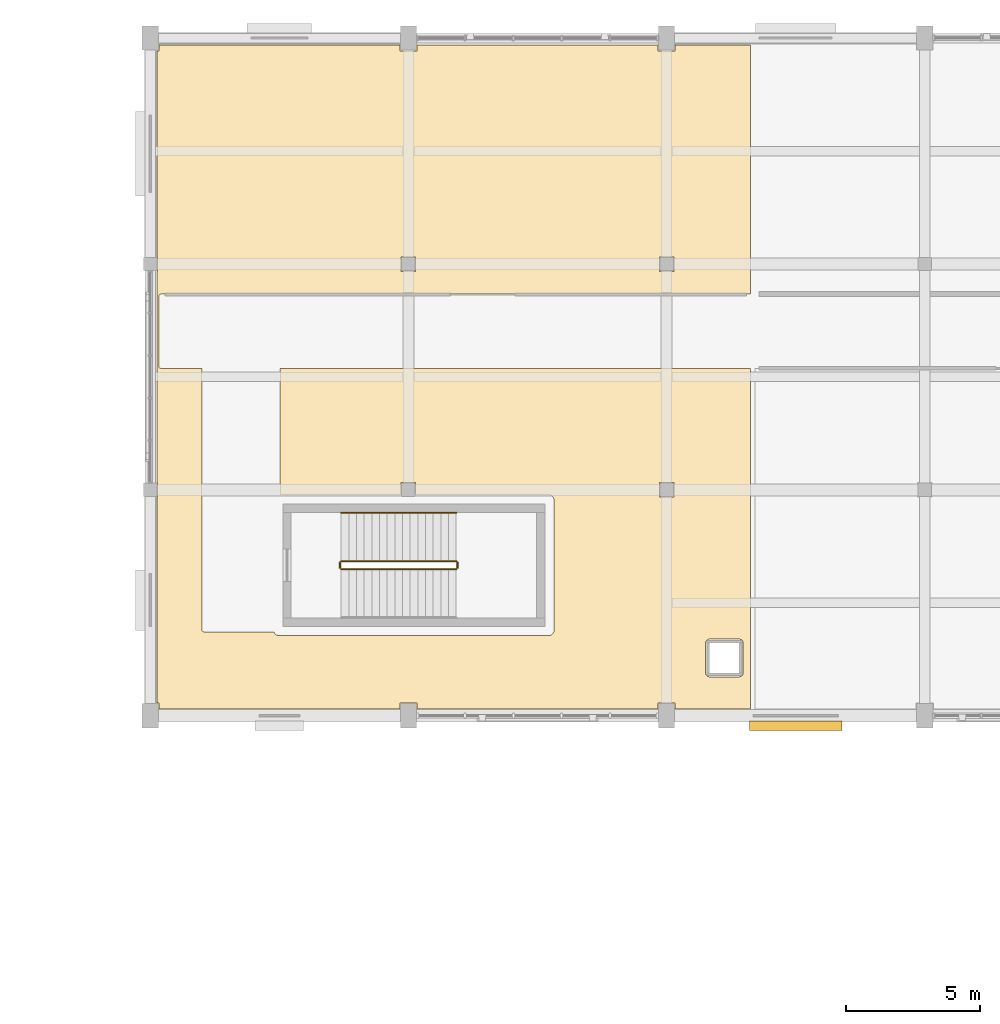
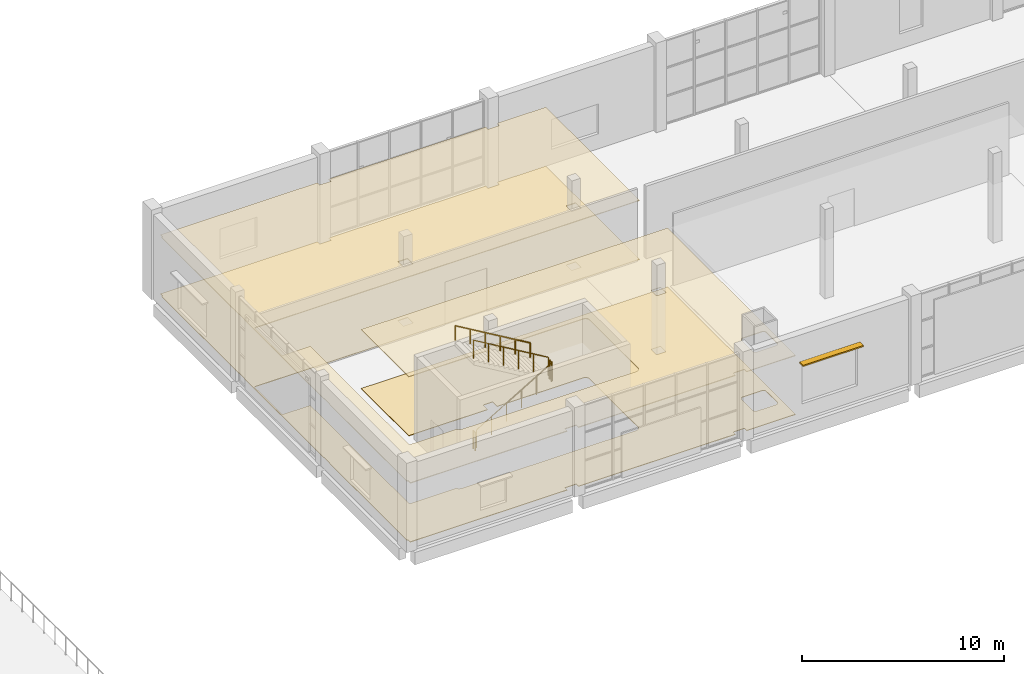
# One storey, part 64 of 72: 5 railings, 2 coverings, 1 shading device.
"""IFC4 building model written with IfcOpenShell, lengths in metres."""

from ifc_helpers import new_model, si_unit, direction, frame, origin, origin_2d, place, context, subcontext, project, spatial, polyline, rectangle, circle, outline, extrude, material, layer, layer_set, type_object, element, save


model = new_model("IFC4")

# Units and contexts
model_context = context("Model", 3, precision=1e-05, world=origin(), true_north=direction((0.0, 1.0)))
body_context = subcontext(model_context, "Body", "Model", "MODEL_VIEW")
ifc_project = project(units=[si_unit("LENGTHUNIT", "METRE"), si_unit("AREAUNIT", "SQUARE_METRE"), si_unit("VOLUMEUNIT", "CUBIC_METRE"), si_unit("PLANEANGLEUNIT", "RADIAN"), si_unit("MASSUNIT", "GRAM", prefix="KILO")], contexts=[model_context])

# Site, building, storey
site_placement = place(None, origin())
site = spatial("IfcSite", under=ifc_project, at=site_placement, CompositionType="ELEMENT")
building_placement = place(site_placement, origin())
building = spatial("IfcBuilding", under=site, at=building_placement, Name="Shalvenor Court Art Gallery", CompositionType="ELEMENT")
storey_placement = place(building_placement, frame((0.0, 0.0, 11.39990234375)))
storey = spatial("IfcBuildingStorey", under=building, at=storey_placement, Name="L02", CompositionType="ELEMENT", Elevation=11.39990234375)

# Coverings
ifc_material_1 = material(Name="Perforated acoustic gypsum gallery ceiling", Category="other")
ifc_layer_1 = layer(ifc_material_1, 0.044921875, Name="Perforated acoustic gypsum gallery ceiling")
ifc_layer_set_1 = layer_set([ifc_layer_1], Name="Perforated acoustic gypsum gallery ceiling")
covering_type_1 = type_object("IfcCoveringType", Name="CLG-01", PredefinedType="CEILING", material=ifc_layer_set_1)
covering_1_placement = place(storey_placement, frame((0.0, 0.0, 3.550048828125)))
element("IfcCovering", 1, at=covering_1_placement, inside=storey, type_object=covering_type_1, Name="L02 Permanent Painting Gallery Acoustic Ceiling", PredefinedType="CEILING", context=body_context, shape_type="SweptSolid", body=[
    extrude(outline(polyline([(79.919921875, 112.8798828125), (58.0, 112.8798828125), (57.9921875, 112.879638671875), (57.984375, 112.87841796875), (57.976806640625, 112.876708984375), (57.969482421875, 112.873779296875), (57.96240234375, 112.87060546875), (57.95556640625, 112.866455078125), (57.94921875, 112.86181640625), (57.943359375, 112.856689453125), (57.938232421875, 112.850830078125), (57.93359375, 112.844482421875), (57.929443359375, 112.837646484375), (57.926025390625, 112.83056640625), (57.92333984375, 112.8232421875), (57.92138671875, 112.815673828125), (57.92041015625, 112.807861328125), (57.919921875, 112.800048828125), (57.919921875, 110.199951171875), (57.92041015625, 110.192138671875), (57.92138671875, 110.184326171875), (57.92333984375, 110.1767578125), (57.926025390625, 110.16943359375), (57.929443359375, 110.162353515625), (57.93359375, 110.155517578125), (57.938232421875, 110.149169921875), (57.943359375, 110.143310546875), (57.94921875, 110.13818359375), (57.95556640625, 110.133544921875), (57.96240234375, 110.12939453125), (57.969482421875, 110.126220703125), (57.976806640625, 110.123291015625), (57.984375, 110.12158203125), (57.9921875, 110.120361328125), (58.0, 110.1201171875), (59.52001953125, 110.1201171875), (59.52001953125, 100.39990234375), (59.5205078125, 100.39208984375), (59.521484375, 100.384521484375), (59.5234375, 100.376708984375), (59.526123046875, 100.369384765625), (59.529296875, 100.3623046875), (59.533447265625, 100.355712890625), (59.5380859375, 100.34912109375), (59.54345703125, 100.343505859375), (59.54931640625, 100.338134765625), (59.5556640625, 100.33349609375), (59.562255859375, 100.329345703125), (59.5693359375, 100.326171875), (59.576904296875, 100.323486328125), (59.58447265625, 100.321533203125), (59.59228515625, 100.3203125), (59.60009765625, 100.320068359375), (62.1953125, 100.320068359375), (62.19677734375, 100.31591796875), (62.2060546875, 100.29638671875), (62.217041015625, 100.27783203125), (62.22998046875, 100.260498046875), (62.244384765625, 100.244384765625), (62.260498046875, 100.22998046875), (62.27783203125, 100.217041015625), (62.29638671875, 100.2060546875), (62.31591796875, 100.19677734375), (62.336181640625, 100.189453125), (62.357177734375, 100.18408203125), (62.37841796875, 100.18115234375), (62.39990234375, 100.179931640625), (72.39990234375, 100.179931640625), (72.421630859375, 100.18115234375), (72.44287109375, 100.18408203125), (72.4638671875, 100.189453125), (72.484130859375, 100.19677734375), (72.503662109375, 100.2060546875), (72.522216796875, 100.217041015625), (72.53955078125, 100.22998046875), (72.5556640625, 100.244384765625), (72.570068359375, 100.260498046875), (72.5830078125, 100.27783203125), (72.593994140625, 100.29638671875), (72.603271484375, 100.31591796875), (72.610595703125, 100.336181640625), (72.61572265625, 100.357177734375), (72.618896484375, 100.37841796875), (72.6201171875, 100.39990234375), (72.6201171875, 105.199951171875), (72.618896484375, 105.2216796875), (72.61572265625, 105.242919921875), (72.610595703125, 105.263916015625), (72.603271484375, 105.2841796875), (72.593994140625, 105.3037109375), (72.5830078125, 105.322265625), (72.570068359375, 105.339599609375), (72.5556640625, 105.355712890625), (72.53955078125, 105.3701171875), (72.522216796875, 105.3828125), (72.503662109375, 105.39404296875), (72.484130859375, 105.4033203125), (72.4638671875, 105.410400390625), (72.44287109375, 105.415771484375), (72.421630859375, 105.4189453125), (72.39990234375, 105.419921875), (67.469970703125, 105.419921875), (67.469970703125, 105.8701171875), (66.929931640625, 105.8701171875), (66.929931640625, 105.419921875), (62.429931640625, 105.419921875), (62.429931640625, 110.1201171875), (79.919921875, 110.1201171875), (79.919921875, 97.449951171875), (77.1201171875, 97.449951171875), (77.1201171875, 97.669921875), (76.47998046875, 97.669921875), (76.47998046875, 97.449951171875), (67.52001953125, 97.449951171875), (67.52001953125, 97.669921875), (66.8798828125, 97.669921875), (66.8798828125, 97.449951171875), (57.919921875, 97.449951171875), (57.919921875, 97.669921875), (57.85009765625, 97.669921875), (57.85009765625, 105.330078125), (57.8701171875, 105.330078125), (57.8701171875, 105.8701171875), (57.85009765625, 105.8701171875), (57.85009765625, 113.72998046875), (57.8701171875, 113.72998046875), (57.8701171875, 114.27001953125), (57.85009765625, 114.27001953125), (57.85009765625, 121.929931640625), (57.919921875, 121.929931640625), (57.919921875, 122.14990234375), (66.8798828125, 122.14990234375), (66.8798828125, 121.929931640625), (67.52001953125, 121.929931640625), (67.52001953125, 122.14990234375), (76.47998046875, 122.14990234375), (76.47998046875, 121.929931640625), (77.1201171875, 121.929931640625), (77.1201171875, 122.14990234375), (79.919921875, 122.14990234375), (79.919921875, 112.8798828125)]), holes=[polyline([(79.5, 98.64990234375), (79.5146484375, 98.650634765625), (79.529296875, 98.65283203125), (79.54345703125, 98.656494140625), (79.557373046875, 98.661376953125), (79.57080078125, 98.667724609375), (79.583251953125, 98.67529296875), (79.59521484375, 98.68408203125), (79.606201171875, 98.69384765625), (79.615966796875, 98.704833984375), (79.624755859375, 98.716796875), (79.63232421875, 98.729248046875), (79.638671875, 98.74267578125), (79.6435546875, 98.756591796875), (79.647216796875, 98.770751953125), (79.6494140625, 98.785400390625), (79.64990234375, 98.800048828125), (79.64990234375, 99.89990234375), (79.6494140625, 99.914794921875), (79.647216796875, 99.92919921875), (79.6435546875, 99.943603515625), (79.638671875, 99.95751953125), (79.63232421875, 99.970703125), (79.624755859375, 99.9833984375), (79.615966796875, 99.9951171875), (79.606201171875, 100.006103515625), (79.59521484375, 100.01611328125), (79.583251953125, 100.024658203125), (79.57080078125, 100.0322265625), (79.557373046875, 100.03857421875), (79.54345703125, 100.04345703125), (79.529296875, 100.047119140625), (79.5146484375, 100.04931640625), (79.5, 100.050048828125), (78.39990234375, 100.050048828125), (78.38525390625, 100.04931640625), (78.37060546875, 100.047119140625), (78.3564453125, 100.04345703125), (78.342529296875, 100.03857421875), (78.329345703125, 100.0322265625), (78.316650390625, 100.024658203125), (78.3046875, 100.01611328125), (78.2939453125, 100.006103515625), (78.283935546875, 99.9951171875), (78.275390625, 99.9833984375), (78.267578125, 99.970703125), (78.261474609375, 99.95751953125), (78.256591796875, 99.943603515625), (78.2529296875, 99.92919921875), (78.250732421875, 99.914794921875), (78.25, 99.89990234375), (78.25, 98.800048828125), (78.250732421875, 98.785400390625), (78.2529296875, 98.770751953125), (78.256591796875, 98.756591796875), (78.261474609375, 98.74267578125), (78.267578125, 98.729248046875), (78.275390625, 98.716796875), (78.283935546875, 98.704833984375), (78.2939453125, 98.69384765625), (78.3046875, 98.68408203125), (78.316650390625, 98.67529296875), (78.329345703125, 98.667724609375), (78.342529296875, 98.661376953125), (78.3564453125, 98.656494140625), (78.37060546875, 98.65283203125), (78.38525390625, 98.650634765625), (78.39990234375, 98.64990234375), (79.5, 98.64990234375)]), polyline([(76.530029296875, 105.8701171875), (76.530029296875, 105.330078125), (77.070068359375, 105.330078125), (77.070068359375, 105.8701171875), (76.530029296875, 105.8701171875)]), polyline([(76.530029296875, 114.27001953125), (76.530029296875, 113.72998046875), (77.070068359375, 113.72998046875), (77.070068359375, 114.27001953125), (76.530029296875, 114.27001953125)]), polyline([(66.929931640625, 114.27001953125), (66.929931640625, 113.72998046875), (67.469970703125, 113.72998046875), (67.469970703125, 114.27001953125), (66.929931640625, 114.27001953125)])]), origin(), (0.0, 0.0, 1.0), 0.045166015625),
])
ifc_material_2 = material(Name="Quarter-sawn white oak gallery flooring", Category="wood")
ifc_layer_2 = layer(ifc_material_2, 0.031982421875, Name="Quarter-sawn white oak gallery flooring")
ifc_layer_set_2 = layer_set([ifc_layer_2], Name="Quarter-sawn white oak gallery flooring")
covering_type_2 = type_object("IfcCoveringType", Name="FLR-02", PredefinedType="FLOORING", material=ifc_layer_set_2)
covering_2_placement = place(storey_placement, origin())
element("IfcCovering", 2, at=covering_2_placement, inside=storey, type_object=covering_type_2, Name="L02 Permanent Painting Gallery Flooring", PredefinedType="FLOORING", context=body_context, shape_type="SweptSolid", body=[
    extrude(outline(polyline([(79.919921875, 112.8798828125), (58.0, 112.8798828125), (57.9921875, 112.879638671875), (57.984375, 112.87841796875), (57.976806640625, 112.876708984375), (57.969482421875, 112.873779296875), (57.96240234375, 112.87060546875), (57.95556640625, 112.866455078125), (57.94921875, 112.86181640625), (57.943359375, 112.856689453125), (57.938232421875, 112.850830078125), (57.93359375, 112.844482421875), (57.929443359375, 112.837646484375), (57.926025390625, 112.83056640625), (57.92333984375, 112.8232421875), (57.92138671875, 112.815673828125), (57.92041015625, 112.807861328125), (57.919921875, 112.800048828125), (57.919921875, 110.199951171875), (57.92041015625, 110.192138671875), (57.92138671875, 110.184326171875), (57.92333984375, 110.1767578125), (57.926025390625, 110.16943359375), (57.929443359375, 110.162353515625), (57.93359375, 110.155517578125), (57.938232421875, 110.149169921875), (57.943359375, 110.143310546875), (57.94921875, 110.13818359375), (57.95556640625, 110.133544921875), (57.96240234375, 110.12939453125), (57.969482421875, 110.126220703125), (57.976806640625, 110.123291015625), (57.984375, 110.12158203125), (57.9921875, 110.120361328125), (58.0, 110.1201171875), (59.52001953125, 110.1201171875), (59.52001953125, 100.39990234375), (59.5205078125, 100.39208984375), (59.521484375, 100.384521484375), (59.5234375, 100.376708984375), (59.526123046875, 100.369384765625), (59.529296875, 100.3623046875), (59.533447265625, 100.355712890625), (59.5380859375, 100.34912109375), (59.54345703125, 100.343505859375), (59.54931640625, 100.338134765625), (59.5556640625, 100.33349609375), (59.562255859375, 100.329345703125), (59.5693359375, 100.326171875), (59.576904296875, 100.323486328125), (59.58447265625, 100.321533203125), (59.59228515625, 100.3203125), (59.60009765625, 100.320068359375), (62.1953125, 100.320068359375), (62.19677734375, 100.31591796875), (62.2060546875, 100.29638671875), (62.217041015625, 100.27783203125), (62.22998046875, 100.260498046875), (62.244384765625, 100.244384765625), (62.260498046875, 100.22998046875), (62.27783203125, 100.217041015625), (62.29638671875, 100.2060546875), (62.31591796875, 100.19677734375), (62.336181640625, 100.189453125), (62.357177734375, 100.18408203125), (62.37841796875, 100.18115234375), (62.39990234375, 100.179931640625), (72.39990234375, 100.179931640625), (72.421630859375, 100.18115234375), (72.44287109375, 100.18408203125), (72.4638671875, 100.189453125), (72.484130859375, 100.19677734375), (72.503662109375, 100.2060546875), (72.522216796875, 100.217041015625), (72.53955078125, 100.22998046875), (72.5556640625, 100.244384765625), (72.570068359375, 100.260498046875), (72.5830078125, 100.27783203125), (72.593994140625, 100.29638671875), (72.603271484375, 100.31591796875), (72.610595703125, 100.336181640625), (72.61572265625, 100.357177734375), (72.618896484375, 100.37841796875), (72.6201171875, 100.39990234375), (72.6201171875, 105.199951171875), (72.618896484375, 105.2216796875), (72.61572265625, 105.242919921875), (72.610595703125, 105.263916015625), (72.603271484375, 105.2841796875), (72.593994140625, 105.3037109375), (72.5830078125, 105.322265625), (72.570068359375, 105.339599609375), (72.5556640625, 105.355712890625), (72.53955078125, 105.3701171875), (72.522216796875, 105.3828125), (72.503662109375, 105.39404296875), (72.484130859375, 105.4033203125), (72.4638671875, 105.410400390625), (72.44287109375, 105.415771484375), (72.421630859375, 105.4189453125), (72.39990234375, 105.419921875), (67.469970703125, 105.419921875), (67.469970703125, 105.8701171875), (66.929931640625, 105.8701171875), (66.929931640625, 105.419921875), (62.429931640625, 105.419921875), (62.429931640625, 110.1201171875), (79.919921875, 110.1201171875), (79.919921875, 97.449951171875), (77.1201171875, 97.449951171875), (77.1201171875, 97.669921875), (76.47998046875, 97.669921875), (76.47998046875, 97.449951171875), (67.52001953125, 97.449951171875), (67.52001953125, 97.669921875), (66.8798828125, 97.669921875), (66.8798828125, 97.449951171875), (57.919921875, 97.449951171875), (57.919921875, 97.669921875), (57.85009765625, 97.669921875), (57.85009765625, 105.330078125), (57.8701171875, 105.330078125), (57.8701171875, 105.8701171875), (57.85009765625, 105.8701171875), (57.85009765625, 113.72998046875), (57.8701171875, 113.72998046875), (57.8701171875, 114.27001953125), (57.85009765625, 114.27001953125), (57.85009765625, 121.929931640625), (57.919921875, 121.929931640625), (57.919921875, 122.14990234375), (66.8798828125, 122.14990234375), (66.8798828125, 121.929931640625), (67.52001953125, 121.929931640625), (67.52001953125, 122.14990234375), (76.47998046875, 122.14990234375), (76.47998046875, 121.929931640625), (77.1201171875, 121.929931640625), (77.1201171875, 122.14990234375), (79.919921875, 122.14990234375), (79.919921875, 112.8798828125)]), holes=[polyline([(79.5, 98.64990234375), (79.5146484375, 98.650634765625), (79.529296875, 98.65283203125), (79.54345703125, 98.656494140625), (79.557373046875, 98.661376953125), (79.57080078125, 98.667724609375), (79.583251953125, 98.67529296875), (79.59521484375, 98.68408203125), (79.606201171875, 98.69384765625), (79.615966796875, 98.704833984375), (79.624755859375, 98.716796875), (79.63232421875, 98.729248046875), (79.638671875, 98.74267578125), (79.6435546875, 98.756591796875), (79.647216796875, 98.770751953125), (79.6494140625, 98.785400390625), (79.64990234375, 98.800048828125), (79.64990234375, 99.89990234375), (79.6494140625, 99.914794921875), (79.647216796875, 99.92919921875), (79.6435546875, 99.943603515625), (79.638671875, 99.95751953125), (79.63232421875, 99.970703125), (79.624755859375, 99.9833984375), (79.615966796875, 99.9951171875), (79.606201171875, 100.006103515625), (79.59521484375, 100.01611328125), (79.583251953125, 100.024658203125), (79.57080078125, 100.0322265625), (79.557373046875, 100.03857421875), (79.54345703125, 100.04345703125), (79.529296875, 100.047119140625), (79.5146484375, 100.04931640625), (79.5, 100.050048828125), (78.39990234375, 100.050048828125), (78.38525390625, 100.04931640625), (78.37060546875, 100.047119140625), (78.3564453125, 100.04345703125), (78.342529296875, 100.03857421875), (78.329345703125, 100.0322265625), (78.316650390625, 100.024658203125), (78.3046875, 100.01611328125), (78.2939453125, 100.006103515625), (78.283935546875, 99.9951171875), (78.275390625, 99.9833984375), (78.267578125, 99.970703125), (78.261474609375, 99.95751953125), (78.256591796875, 99.943603515625), (78.2529296875, 99.92919921875), (78.250732421875, 99.914794921875), (78.25, 99.89990234375), (78.25, 98.800048828125), (78.250732421875, 98.785400390625), (78.2529296875, 98.770751953125), (78.256591796875, 98.756591796875), (78.261474609375, 98.74267578125), (78.267578125, 98.729248046875), (78.275390625, 98.716796875), (78.283935546875, 98.704833984375), (78.2939453125, 98.69384765625), (78.3046875, 98.68408203125), (78.316650390625, 98.67529296875), (78.329345703125, 98.667724609375), (78.342529296875, 98.661376953125), (78.3564453125, 98.656494140625), (78.37060546875, 98.65283203125), (78.38525390625, 98.650634765625), (78.39990234375, 98.64990234375), (79.5, 98.64990234375)]), polyline([(76.530029296875, 105.8701171875), (76.530029296875, 105.330078125), (77.070068359375, 105.330078125), (77.070068359375, 105.8701171875), (76.530029296875, 105.8701171875)]), polyline([(76.530029296875, 114.27001953125), (76.530029296875, 113.72998046875), (77.070068359375, 113.72998046875), (77.070068359375, 114.27001953125), (76.530029296875, 114.27001953125)]), polyline([(66.929931640625, 114.27001953125), (66.929931640625, 113.72998046875), (67.469970703125, 113.72998046875), (67.469970703125, 114.27001953125), (66.929931640625, 114.27001953125)])]), origin(), (0.0, 0.0, 1.0), 0.031982421875),
])

# Railings
ifc_material_3 = material(Name="Painted steel post-and-rail guard", Category="steel")
railing_type_1 = type_object("IfcRailingType", Name="GR-02", PredefinedType="GUARDRAIL", material=ifc_material_3)
railing_1_placement = place(storey_placement, frame((64.699951171875, 102.64990234375, 0.1689453125)))
element("IfcRailing", 3, at=railing_1_placement, inside=storey, type_object=railing_type_1, Name="L02 ST-09 Stair Guard 1", PredefinedType="GUARDRAIL", context=body_context, shape_type="SweptSolid", body=[
    extrude(circle(Radius=0.02392578125, at=origin_2d()), frame((0.0, 0.0, 1.09619140625), z_axis=(0.860483042394, 0.0, 0.50947908078), x_axis=(0.0, 1.0, 0.0)), (0.0, 0.0, 1.0), 4.96826171875),
    extrude(circle(Radius=0.02099609375, at=origin_2d()), origin(), (0.0, 0.0, 1.0), 1.072021484375),
    extrude(circle(Radius=0.02099609375, at=origin_2d()), frame((0.85498046875, 0.0, 0.50634765625)), (0.0, 0.0, 1.0), 1.072021484375),
    extrude(circle(Radius=0.02099609375, at=origin_2d()), frame((1.7099609375, 0.0, 1.012451171875)), (0.0, 0.0, 1.0), 1.072021484375),
    extrude(circle(Radius=0.02099609375, at=origin_2d()), frame((2.565185546875, 0.0, 1.518798828125)), (0.0, 0.0, 1.0), 1.072021484375),
    extrude(circle(Radius=0.02099609375, at=origin_2d()), frame((3.420166015625, 0.0, 2.02490234375)), (0.0, 0.0, 1.0), 1.072021484375),
    extrude(circle(Radius=0.02099609375, at=origin_2d()), frame((4.275146484375, 0.0, 2.53125)), (0.0, 0.0, 1.0), 1.072021484375),
])
railing_2_placement = place(storey_placement, frame((69.02490234375, 102.699951171875, 2.7001953125)))
element("IfcRailing", 4, at=railing_2_placement, inside=storey, type_object=railing_type_1, Name="L02 ST-09 Stair Guard 2", PredefinedType="GUARDRAIL", context=body_context, shape_type="SweptSolid", body=[
    extrude(circle(Radius=0.02392578125, at=origin_2d()), frame((0.0, 0.0, 1.09619140625), z_axis=(0.0, 1.0, 0.0), x_axis=(-1.0, 0.0, 0.0)), (0.0, 0.0, 1.0), 0.199951171875),
    extrude(circle(Radius=0.02099609375, at=origin_2d()), origin(), (0.0, 0.0, 1.0), 1.072021484375),
    extrude(circle(Radius=0.02099609375, at=origin_2d()), frame((0.0, 0.199951171875, 0.0)), (0.0, 0.0, 1.0), 1.072021484375),
])
railing_3_placement = place(storey_placement, frame((68.97509765625, 102.949951171875, 2.868896484375)))
element("IfcRailing", 5, at=railing_3_placement, inside=storey, type_object=railing_type_1, Name="L02 ST-09 Stair Guard 3", PredefinedType="GUARDRAIL", context=body_context, shape_type="SweptSolid", body=[
    extrude(circle(Radius=0.02392578125, at=origin_2d()), frame((0.0, 0.0, 1.09619140625), z_axis=(-0.860483042394, 0.0, 0.50947908078), x_axis=(0.0, -1.0, 0.0)), (0.0, 0.0, 1.0), 4.96826171875),
    extrude(circle(Radius=0.02099609375, at=origin_2d()), origin(), (0.0, 0.0, 1.0), 1.072021484375),
    extrude(circle(Radius=0.02099609375, at=origin_2d()), frame((-0.85498046875, 0.0, 0.50634765625)), (0.0, 0.0, 1.0), 1.072021484375),
    extrude(circle(Radius=0.02099609375, at=origin_2d()), frame((-1.7099609375, 0.0, 1.012451171875)), (0.0, 0.0, 1.0), 1.072021484375),
    extrude(circle(Radius=0.02099609375, at=origin_2d()), frame((-2.565185546875, 0.0, 1.518798828125)), (0.0, 0.0, 1.0), 1.072021484375),
    extrude(circle(Radius=0.02099609375, at=origin_2d()), frame((-3.420166015625, 0.0, 2.02490234375)), (0.0, 0.0, 1.0), 1.072021484375),
    extrude(circle(Radius=0.02099609375, at=origin_2d()), frame((-4.275146484375, 0.0, 2.53125)), (0.0, 0.0, 1.0), 1.072021484375),
])
railing_4_placement = place(storey_placement, frame((64.64990234375, 102.699951171875, 0.0)))
element("IfcRailing", 6, at=railing_4_placement, inside=storey, type_object=railing_type_1, Name="L02 ST-09 Stair Guard 4", PredefinedType="GUARDRAIL", context=body_context, shape_type="SweptSolid", body=[
    extrude(circle(Radius=0.02392578125, at=origin_2d()), frame((0.0, 0.0, 1.09619140625), z_axis=(0.0, 1.0, 0.0), x_axis=(-1.0, 0.0, 0.0)), (0.0, 0.0, 1.0), 0.199951171875),
    extrude(circle(Radius=0.02099609375, at=origin_2d()), origin(), (0.0, 0.0, 1.0), 1.072021484375),
    extrude(circle(Radius=0.02099609375, at=origin_2d()), frame((0.0, 0.199951171875, 0.0)), (0.0, 0.0, 1.0), 1.072021484375),
])
ifc_material_4 = material(Name="Brushed stainless steel handrail", Category="steel")
railing_type_2 = type_object("IfcRailingType", Name="HR-01", PredefinedType="HANDRAIL", material=ifc_material_4)
railing_5_placement = place(storey_placement, frame((68.97509765625, 104.75, 2.868896484375)))
element("IfcRailing", 7, at=railing_5_placement, inside=storey, type_object=railing_type_2, Name="L02 ST-09 Stair Handrail 2", PredefinedType="HANDRAIL", context=body_context, shape_type="SweptSolid", body=[
    extrude(circle(Radius=0.02392578125, at=origin_2d()), frame((0.0, 0.0, 0.8759765625), z_axis=(-0.860483042394, 0.0, 0.50947908078), x_axis=(0.0, -1.0, 0.0)), (0.0, 0.0, 1.0), 4.96826171875),
    extrude(circle(Radius=0.02099609375, at=origin_2d()), origin(), (0.0, 0.0, 1.0), 0.851806640625),
    extrude(circle(Radius=0.02099609375, at=origin_2d()), frame((-0.85498046875, 0.0, 0.50634765625)), (0.0, 0.0, 1.0), 0.851806640625),
    extrude(circle(Radius=0.02099609375, at=origin_2d()), frame((-1.7099609375, 0.0, 1.012451171875)), (0.0, 0.0, 1.0), 0.851806640625),
    extrude(circle(Radius=0.02099609375, at=origin_2d()), frame((-2.565185546875, 0.0, 1.518798828125)), (0.0, 0.0, 1.0), 0.851806640625),
    extrude(circle(Radius=0.02099609375, at=origin_2d()), frame((-3.420166015625, 0.0, 2.02490234375)), (0.0, 0.0, 1.0), 0.851806640625),
    extrude(circle(Radius=0.02099609375, at=origin_2d()), frame((-4.275146484375, 0.0, 2.53125)), (0.0, 0.0, 1.0), 0.851806640625),
])

# Shading device
ifc_material_5 = material(Name="Dark anodised bronze aluminium louvre", Category="aluminium")
shading_device_type = type_object("IfcShadingDeviceType", Name="SHD-01", PredefinedType="JALOUSIE", material=ifc_material_5)
shading_device_placement = place(storey_placement, frame((81.60009765625, 96.830078125, 3.400146484375), z_axis=(0.0, 0.0, 1.0), x_axis=(-1.0, 0.0, 0.0)))
element("IfcShadingDevice", 8, at=shading_device_placement, inside=storey, type_object=shading_device_type, Name="L02 Koushi Window Sunshade 40", PredefinedType="JALOUSIE", context=body_context, shape_type="SweptSolid", body=[
    extrude(rectangle(XDim=3.449951171875, YDim=0.360107421875, at=origin_2d()), origin(), (0.0, 0.0, 1.0), 0.080078125),
])

save(model, "model.ifc")
